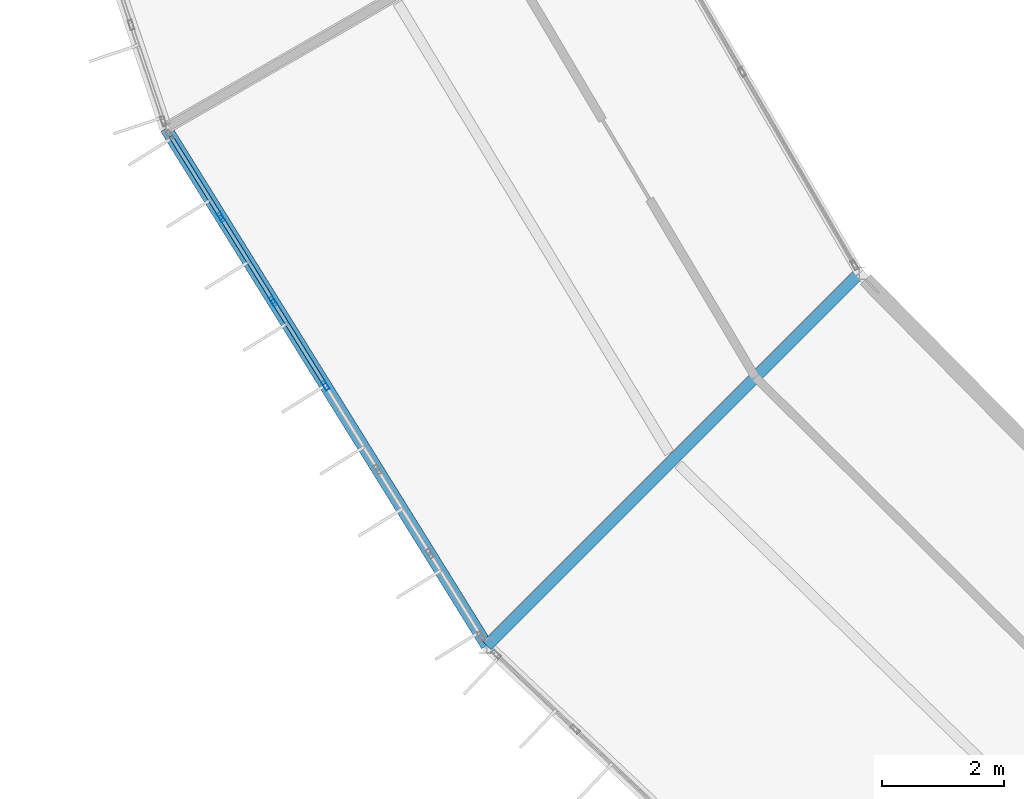
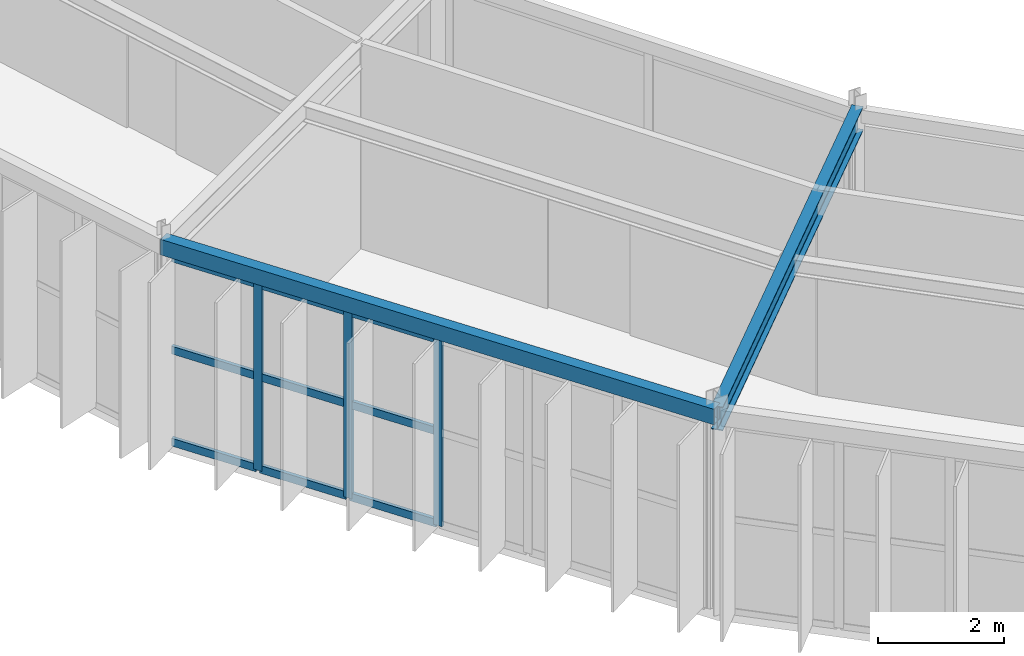
# One storey, part 34 of 157: 12 members, 2 beams, 1 element without a shape of its own.
"""IFC4 building model written with IfcOpenShell, lengths in metres."""

from ifc_helpers import new_model, si_unit, direction, frame, origin, origin_2d, place, context, subcontext, project, spatial, hollow_rectangle, i_section, extrude, material, material_profile, profile_set, type_object, element, aggregate, save


model = new_model("IFC4")

# Units and contexts
model_context = context("Model", 3, precision=1e-05, world=origin(), true_north=direction((0.0, 1.0)))
body_context = subcontext(model_context, "Body", "Model", "MODEL_VIEW")
ifc_project = project(units=[si_unit("LENGTHUNIT", "METRE"), si_unit("AREAUNIT", "SQUARE_METRE"), si_unit("VOLUMEUNIT", "CUBIC_METRE"), si_unit("PLANEANGLEUNIT", "RADIAN"), si_unit("MASSUNIT", "GRAM", prefix="KILO")], contexts=[model_context])

# Site, building, storey
site_placement = place(None, origin())
site = spatial("IfcSite", under=ifc_project, at=site_placement, CompositionType="ELEMENT")
building_placement = place(site_placement, origin())
building = spatial("IfcBuilding", under=site, at=building_placement, Name="Karori Crest Natural Sciences Institute", CompositionType="ELEMENT")
storey_placement = place(building_placement, frame((0.0, 0.0, 13.300048828125)))
storey = spatial("IfcBuildingStorey", under=building, at=storey_placement, Name="L03", CompositionType="ELEMENT", Elevation=13.300048828125)

# Beams
ifc_material_1 = material(Name="Structural steel AS/NZS 3679.1 Grade 350", Category="steel")
ifc_material_profile_1 = material_profile(ifc_material_1, i_section(OverallWidth=0.19091796875, OverallDepth=0.4599609375, WebThickness=0.010009765625, FlangeThickness=0.01611328125, FilletRadius=0.010986328125, at=origin_2d()), Name="460UB82.1")
ifc_profile_set_1 = profile_set([ifc_material_profile_1], Name="Structural steel AS/NZS 3679.1 Grade 350")
beam_type_1 = type_object("IfcBeamType", Name="BT-06", PredefinedType="BEAM", material=ifc_profile_set_1)
beam_1_placement = place(storey_placement, frame((49.146484375, 27.131103515625, 3.7099609375), z_axis=(-0.707106781187, -0.707106781187, 0.0), x_axis=(0.707106781187, -0.707106781187, 0.0)))
element("IfcBeam", 1, at=beam_1_placement, inside=storey, type_object=beam_type_1, Name="Beam B-0418", PredefinedType="BEAM", context=body_context, shape_type="SweptSolid", body=[
    extrude(i_section(OverallWidth=0.19091796875, OverallDepth=0.4599609375, WebThickness=0.010009765625, FlangeThickness=0.01611328125, FilletRadius=0.010986328125, at=origin_2d()), origin(), (0.0, 0.0, 1.0), 8.599853515625),
])
ifc_material_2 = material(Name="Hollow structural steel AS/NZS 1163 Grade C350", Category="steel")
ifc_material_profile_2 = material_profile(ifc_material_2, hollow_rectangle(XDim=0.199951171875, YDim=0.300048828125, WallThickness=0.010009765625, at=origin_2d()), Name="RHS300x200x10")
ifc_profile_set_2 = profile_set([ifc_material_profile_2], Name="Hollow structural steel AS/NZS 1163 Grade C350")
beam_type_2 = type_object("IfcBeamType", Name="BT-15", PredefinedType="SPANDREL", material=ifc_profile_set_2)
beam_2_placement = place(storey_placement, frame((37.8212890625, 29.5, 3.7900390625), z_axis=(0.527315195609, -0.849669750244, 0.0), x_axis=(0.849669750244, 0.527315195609, 0.0)))
element("IfcBeam", 2, at=beam_2_placement, inside=storey, type_object=beam_type_2, Name="Beam B-0412", PredefinedType="SPANDREL", context=body_context, shape_type="SweptSolid", body=[
    extrude(hollow_rectangle(XDim=0.199951171875, YDim=0.300048828125, WallThickness=0.010009765625, at=origin_2d()), origin(), (0.0, 0.0, 1.0), 9.945068359375),
])

# Curtain wall, members
ifc_material_3 = material(Name="Anodised architectural aluminium 6063-T6", Category="aluminium")
curtain_wall_type = type_object("IfcCurtainWallType", Name="CWT-05", PredefinedType="NOTDEFINED", material=ifc_material_3)
curtain_wall_placement = place(storey_placement, origin())
curtain_wall = element("IfcCurtainWall", 3, at=curtain_wall_placement, inside=storey, type_object=curtain_wall_type, Name="Curtain wall CW-0121", PredefinedType="NOTDEFINED")
ifc_material_profile_3 = material_profile(ifc_material_3, hollow_rectangle(XDim=0.06494140625, YDim=0.159912109375, WallThickness=0.00390625, at=origin_2d()), Name="CWM160x65x4")
ifc_profile_set_3 = profile_set([ifc_material_profile_3], Name="Anodised architectural aluminium 6063-T6")
member_type_1 = type_object("IfcMemberType", Name="CWM-01", PredefinedType="MULLION", material=ifc_profile_set_3)
member_1_placement = place(storey_placement, frame((40.42822265625, 25.299560546875, 0.0), z_axis=(0.0, 0.0, 1.0), x_axis=(-0.849661985715, -0.527327706489, 0.0)))
member_1 = element("IfcMember", 4, at=member_1_placement, type_object=member_type_1, Name="CW-0121 mullion 4", PredefinedType="MULLION", context=body_context, shape_type="SweptSolid", body=[
    extrude(hollow_rectangle(XDim=0.06494140625, YDim=0.159912109375, WallThickness=0.00390625, at=origin_2d()), origin(), (0.0, 0.0, 1.0), 3.625),
])
member_2_placement = place(storey_placement, frame((39.57568359375, 26.67333984375, 0.0), z_axis=(0.0, 0.0, 1.0), x_axis=(-0.849661985715, -0.527327706489, 0.0)))
member_2 = element("IfcMember", 5, at=member_2_placement, type_object=member_type_1, Name="CW-0121 mullion 5", PredefinedType="MULLION", context=body_context, shape_type="SweptSolid", body=[
    extrude(hollow_rectangle(XDim=0.06494140625, YDim=0.159912109375, WallThickness=0.00390625, at=origin_2d()), origin(), (0.0, 0.0, 1.0), 3.625),
])
member_3_placement = place(storey_placement, frame((38.722900390625, 28.046875, 0.0), z_axis=(0.0, 0.0, 1.0), x_axis=(-0.849661985715, -0.527327706489, 0.0)))
member_3 = element("IfcMember", 6, at=member_3_placement, type_object=member_type_1, Name="CW-0121 mullion 6", PredefinedType="MULLION", context=body_context, shape_type="SweptSolid", body=[
    extrude(hollow_rectangle(XDim=0.06494140625, YDim=0.159912109375, WallThickness=0.00390625, at=origin_2d()), origin(), (0.0, 0.0, 1.0), 3.625),
])
ifc_material_profile_4 = material_profile(ifc_material_3, hollow_rectangle(XDim=0.06494140625, YDim=0.14990234375, WallThickness=0.00390625, at=origin_2d()), Name="CWT150x65x4")
ifc_profile_set_4 = profile_set([ifc_material_profile_4], Name="Anodised architectural aluminium 6063-T6")
member_type_2 = type_object("IfcMemberType", Name="CWT-TR2", PredefinedType="USERDEFINED", material=ifc_profile_set_4)
member_4_placement = place(storey_placement, frame((40.4111328125, 25.3271484375, 0.032470703125), z_axis=(-0.5273941938, 0.849620717936, 0.0), x_axis=(-0.849620717936, -0.5273941938, 0.0)))
member_4 = element("IfcMember", 7, at=member_4_placement, type_object=member_type_2, Name="CW-0121 transom 4.1", ObjectType="TRANSOM", PredefinedType="USERDEFINED", context=body_context, shape_type="SweptSolid", body=[
    extrude(hollow_rectangle(XDim=0.06494140625, YDim=0.14990234375, WallThickness=0.00390625, at=origin_2d()), origin(), (0.0, 0.0, 1.0), 1.5517578125),
])
member_5_placement = place(storey_placement, frame((40.4111328125, 25.3271484375, 1.8125), z_axis=(-0.5273941938, 0.849620717936, 0.0), x_axis=(-0.849620717936, -0.5273941938, 0.0)))
member_5 = element("IfcMember", 8, at=member_5_placement, type_object=member_type_2, Name="CW-0121 transom 4.2", ObjectType="TRANSOM", PredefinedType="USERDEFINED", context=body_context, shape_type="SweptSolid", body=[
    extrude(hollow_rectangle(XDim=0.06494140625, YDim=0.14990234375, WallThickness=0.00390625, at=origin_2d()), origin(), (0.0, 0.0, 1.0), 1.5517578125),
])
member_6_placement = place(storey_placement, frame((40.4111328125, 25.3271484375, 3.592529296875), z_axis=(-0.5273941938, 0.849620717936, 0.0), x_axis=(-0.849620717936, -0.5273941938, 0.0)))
member_6 = element("IfcMember", 9, at=member_6_placement, type_object=member_type_2, Name="CW-0121 transom 4.3", ObjectType="TRANSOM", PredefinedType="USERDEFINED", context=body_context, shape_type="SweptSolid", body=[
    extrude(hollow_rectangle(XDim=0.06494140625, YDim=0.14990234375, WallThickness=0.00390625, at=origin_2d()), origin(), (0.0, 0.0, 1.0), 1.5517578125),
])
member_7_placement = place(storey_placement, frame((39.558349609375, 26.700927734375, 0.032470703125), z_axis=(-0.527280604983, 0.849691216624, 0.0), x_axis=(-0.849691216624, -0.527280604983, 0.0)))
member_7 = element("IfcMember", 10, at=member_7_placement, type_object=member_type_2, Name="CW-0121 transom 5.1", ObjectType="TRANSOM", PredefinedType="USERDEFINED", context=body_context, shape_type="SweptSolid", body=[
    extrude(hollow_rectangle(XDim=0.06494140625, YDim=0.14990234375, WallThickness=0.00390625, at=origin_2d()), origin(), (0.0, 0.0, 1.0), 1.551513671875),
])
member_8_placement = place(storey_placement, frame((39.558349609375, 26.700927734375, 1.8125), z_axis=(-0.527280604983, 0.849691216624, 0.0), x_axis=(-0.849691216624, -0.527280604983, 0.0)))
member_8 = element("IfcMember", 11, at=member_8_placement, type_object=member_type_2, Name="CW-0121 transom 5.2", ObjectType="TRANSOM", PredefinedType="USERDEFINED", context=body_context, shape_type="SweptSolid", body=[
    extrude(hollow_rectangle(XDim=0.06494140625, YDim=0.14990234375, WallThickness=0.00390625, at=origin_2d()), origin(), (0.0, 0.0, 1.0), 1.551513671875),
])
member_9_placement = place(storey_placement, frame((39.558349609375, 26.700927734375, 3.592529296875), z_axis=(-0.527280604983, 0.849691216624, 0.0), x_axis=(-0.849691216624, -0.527280604983, 0.0)))
member_9 = element("IfcMember", 12, at=member_9_placement, type_object=member_type_2, Name="CW-0121 transom 5.3", ObjectType="TRANSOM", PredefinedType="USERDEFINED", context=body_context, shape_type="SweptSolid", body=[
    extrude(hollow_rectangle(XDim=0.06494140625, YDim=0.14990234375, WallThickness=0.00390625, at=origin_2d()), origin(), (0.0, 0.0, 1.0), 1.551513671875),
])
member_10_placement = place(storey_placement, frame((38.705810546875, 28.074462890625, 0.032470703125), z_axis=(-0.527222854593, 0.849727051231, 0.0), x_axis=(-0.849727051231, -0.527222854593, 0.0)))
member_10 = element("IfcMember", 13, at=member_10_placement, type_object=member_type_2, Name="CW-0121 transom 6.1", ObjectType="TRANSOM", PredefinedType="USERDEFINED", context=body_context, shape_type="SweptSolid", body=[
    extrude(hollow_rectangle(XDim=0.06494140625, YDim=0.14990234375, WallThickness=0.00390625, at=origin_2d()), origin(), (0.0, 0.0, 1.0), 1.519287109375),
])
member_11_placement = place(storey_placement, frame((38.705810546875, 28.074462890625, 1.8125), z_axis=(-0.527222854593, 0.849727051231, 0.0), x_axis=(-0.849727051231, -0.527222854593, 0.0)))
member_11 = element("IfcMember", 14, at=member_11_placement, type_object=member_type_2, Name="CW-0121 transom 6.2", ObjectType="TRANSOM", PredefinedType="USERDEFINED", context=body_context, shape_type="SweptSolid", body=[
    extrude(hollow_rectangle(XDim=0.06494140625, YDim=0.14990234375, WallThickness=0.00390625, at=origin_2d()), origin(), (0.0, 0.0, 1.0), 1.519287109375),
])
member_12_placement = place(storey_placement, frame((38.705810546875, 28.074462890625, 3.592529296875), z_axis=(-0.527222854593, 0.849727051231, 0.0), x_axis=(-0.849727051231, -0.527222854593, 0.0)))
member_12 = element("IfcMember", 15, at=member_12_placement, type_object=member_type_2, Name="CW-0121 transom 6.3", ObjectType="TRANSOM", PredefinedType="USERDEFINED", context=body_context, shape_type="SweptSolid", body=[
    extrude(hollow_rectangle(XDim=0.06494140625, YDim=0.14990234375, WallThickness=0.00390625, at=origin_2d()), origin(), (0.0, 0.0, 1.0), 1.519287109375),
])
aggregate(curtain_wall, [member_1, member_2, member_3, member_4, member_5, member_6, member_7, member_8, member_9, member_10, member_11, member_12])

save(model, "model.ifc")
